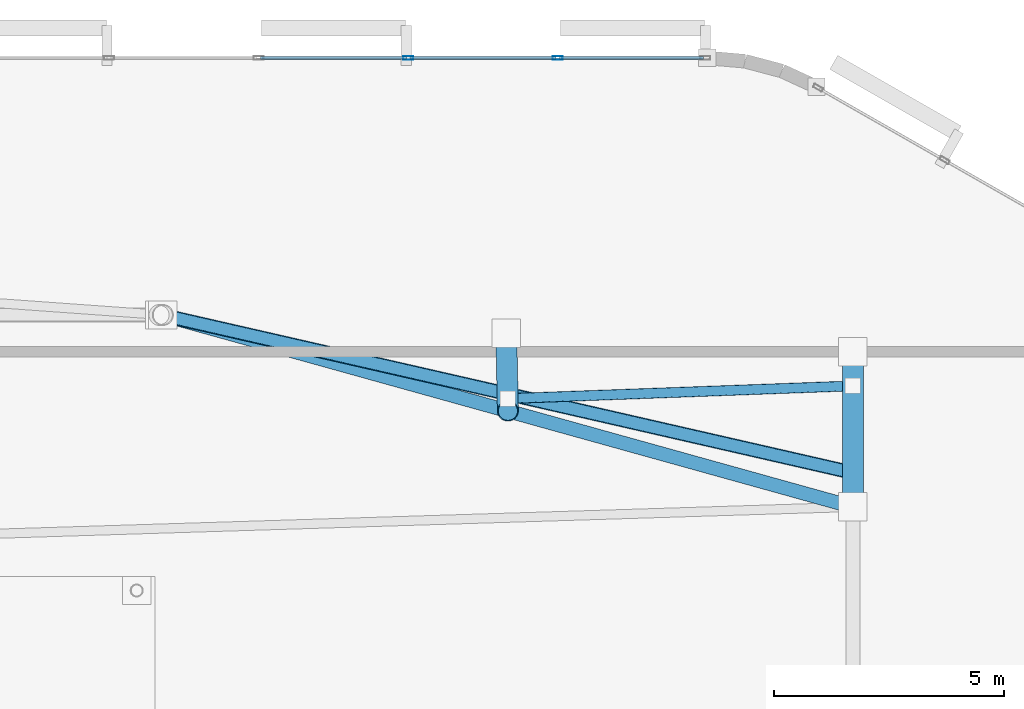
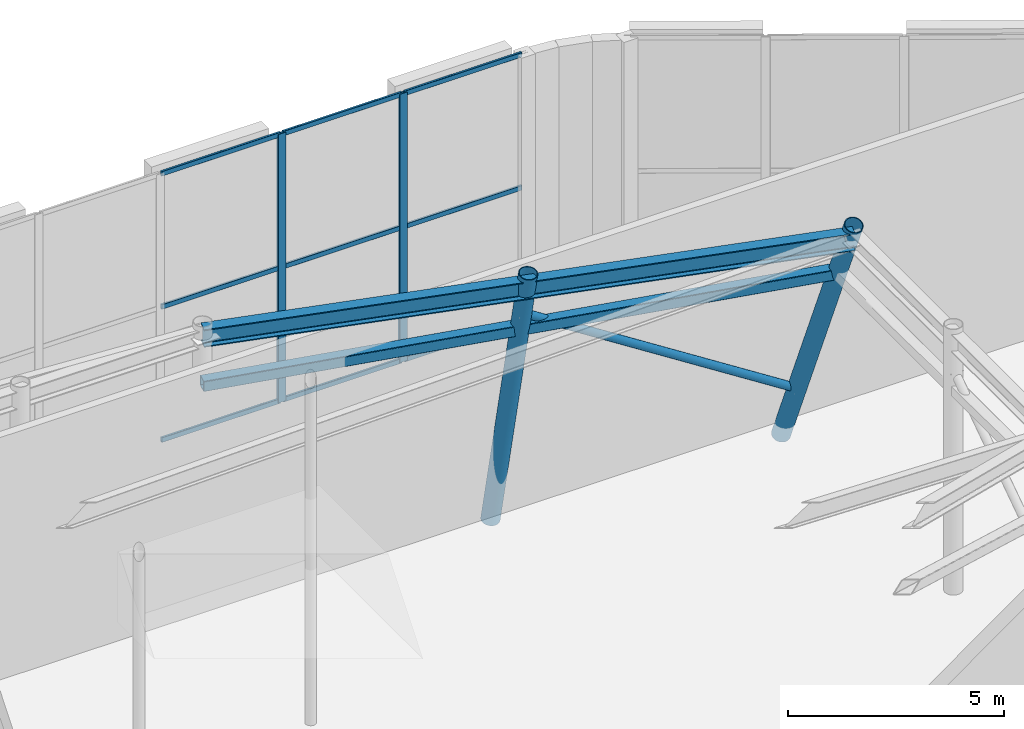
# One storey, part 15 of 22: 15 members, 1 beam, 1 element without a shape of its own.
"""IFC4 building model written with IfcOpenShell, lengths in metres."""

from ifc_helpers import new_model, si_unit, direction, frame, origin, origin_2d, place, context, subcontext, project, spatial, hollow_rectangle, hollow_circle, i_section, extrude, material, layer, layer_set, material_profile, profile_set, type_object, element, aggregate, save


model = new_model("IFC4")

# Units and contexts
model_context = context("Model", 3, precision=1e-05, world=origin(), true_north=direction((0.0, 1.0)))
body_context = subcontext(model_context, "Body", "Model", "MODEL_VIEW")
ifc_project = project(units=[si_unit("LENGTHUNIT", "METRE"), si_unit("AREAUNIT", "SQUARE_METRE"), si_unit("VOLUMEUNIT", "CUBIC_METRE"), si_unit("PLANEANGLEUNIT", "RADIAN"), si_unit("MASSUNIT", "GRAM", prefix="KILO")], contexts=[model_context])

# Site, building, storey
site_placement = place(None, origin())
site = spatial("IfcSite", under=ifc_project, at=site_placement, CompositionType="ELEMENT")
building_placement = place(site_placement, origin())
building = spatial("IfcBuilding", under=site, at=building_placement, Name="An Khanh Terracotta Commons", CompositionType="ELEMENT")
storey_placement = place(building_placement, frame((0.0, 0.0, 300.39990234375)))
storey = spatial("IfcBuildingStorey", under=building, at=storey_placement, Name="L78 Crown Damper Chamber", CompositionType="ELEMENT", Elevation=300.39990234375)

# Beam
ifc_material_1 = material(Name="Steel S355J2", Category="steel")
ifc_material_profile_1 = material_profile(ifc_material_1, i_section(OverallWidth=0.300048828125, OverallDepth=0.5, WebThickness=0.014404296875, FlangeThickness=0.028076171875, FilletRadius=0.027099609375, at=origin_2d()), Name="HEB500")
ifc_profile_set_1 = profile_set([ifc_material_profile_1], Name="Steel S355J2")
beam_type = type_object("IfcBeamType", Name="BM-HEB500", PredefinedType="BEAM", material=ifc_profile_set_1)
beam_placement = place(storey_placement, frame((63.39990234375, 28.6201171875, 7.130126953125), z_axis=(-0.963435354668, 0.267940884105, 0.0), x_axis=(-0.267940884105, -0.963435354668, 0.0)))
element("IfcBeam", 1, at=beam_placement, inside=storey, type_object=beam_type, Name="L78 Crown Damper Chamber CROWN FRAME Ring Beam 4", PredefinedType="BEAM", context=body_context, shape_type="SweptSolid", body=[
    extrude(i_section(OverallWidth=0.300048828125, OverallDepth=0.5, WebThickness=0.014404296875, FlangeThickness=0.028076171875, FilletRadius=0.027099609375, at=origin_2d()), origin(), (0.0, 0.0, 1.0), 15.60009765625),
])

# Members
ifc_material_2 = material(Name="Steel S460ML", Category="steel")
ifc_material_profile_2 = material_profile(ifc_material_2, hollow_circle(Radius=0.109619140625, WallThickness=0.010009765625, at=origin_2d()), Name="CHS219.1x10")
ifc_profile_set_2 = profile_set([ifc_material_profile_2], Name="Steel S460ML")
member_type_1 = type_object("IfcMemberType", Name="CROWN FRAME BRACE CHS219", PredefinedType="BRACE", material=ifc_profile_set_2)
member_1_placement = place(storey_placement, frame((63.39990234375, 31.256103515625, 1.302978515625), z_axis=(-0.835324124896, -0.030667778526, 0.548901715908), x_axis=(0.036688909227, -0.999326735327, 0.0)))
element("IfcMember", 2, at=member_1_placement, inside=storey, type_object=member_type_1, Name="L78 Crown Damper Chamber CROWN FRAME Wind Diagonal 4", PredefinedType="BRACE", context=body_context, shape_type="SweptSolid", body=[
    extrude(hollow_circle(Radius=0.109619140625, WallThickness=0.010009765625, at=origin_2d()), origin(), (0.0, 0.0, 1.0), 9.003662109375),
])
ifc_material_profile_3 = material_profile(ifc_material_2, hollow_circle(Radius=0.228515625, WallThickness=0.02001953125, at=origin_2d()), Name="CHS457x20")
ifc_profile_set_3 = profile_set([ifc_material_profile_3], Name="Steel S460ML")
member_type_2 = type_object("IfcMemberType", Name="CROWN FRAME RIB CHS457", PredefinedType="STRUT", material=ifc_profile_set_3)
member_2_placement = place(storey_placement, frame((63.39990234375, 32.0, -0.449951171875), z_axis=(0.0, -0.390420928365, 0.920636463918), x_axis=(1.0, 0.0, 0.0)))
element("IfcMember", 3, at=member_2_placement, inside=storey, type_object=member_type_2, Name="L78 Crown Damper Chamber CROWN FRAME Corner Raking Rib 4", PredefinedType="STRUT", context=body_context, shape_type="SweptSolid", body=[
    extrude(hollow_circle(Radius=0.228515625, WallThickness=0.02001953125, at=origin_2d()), origin(), (0.0, 0.0, 1.0), 8.656982421875),
])
member_3_placement = place(storey_placement, frame((55.84912109375, 32.39990234375, -0.449951171875), z_axis=(0.00440500635, -0.207424856847, 0.978241036085), x_axis=(0.999774578873, 0.021231849624, 0.0)))
element("IfcMember", 4, at=member_3_placement, inside=storey, type_object=member_type_2, Name="L78 Crown Damper Chamber CROWN FRAME Facet Strut 4", PredefinedType="STRUT", context=body_context, shape_type="SweptSolid", body=[
    extrude(hollow_circle(Radius=0.228515625, WallThickness=0.02001953125, at=origin_2d()), origin(), (0.0, 0.0, 1.0), 8.147216796875),
])
ifc_material_profile_4 = material_profile(ifc_material_2, hollow_rectangle(XDim=0.300048828125, YDim=0.300048828125, WallThickness=0.01611328125, InnerFilletRadius=0.01611328125, OuterFilletRadius=0.031982421875, at=origin_2d()), Name="SHS300x300x16")
ifc_profile_set_4 = profile_set([ifc_material_profile_4], Name="Steel S460ML")
member_type_3 = type_object("IfcMemberType", Name="CROWN FRAME RING SHS300", PredefinedType="CHORD", material=ifc_profile_set_4)
member_4_placement = place(storey_placement, frame((63.39990234375, 29.364013671875, 5.76708984375), z_axis=(-0.974901098527, 0.222638379644, 0.0), x_axis=(-0.222638379644, -0.974901098527, 0.0)))
element("IfcMember", 5, at=member_4_placement, inside=storey, type_object=member_type_3, Name="L78 Crown Damper Chamber CROWN FRAME Sill Ring Chord 4", PredefinedType="CHORD", context=body_context, shape_type="SweptSolid", body=[
    extrude(hollow_rectangle(XDim=0.300048828125, YDim=0.300048828125, WallThickness=0.01611328125, InnerFilletRadius=0.01611328125, OuterFilletRadius=0.031982421875, at=origin_2d()), origin(), (0.0, 0.0, 1.0), 15.433349609375),
])

# Curtain wall, members
ifc_material_3 = material(Name="Anodised Aluminium 6063-T6", Category="aluminium")
ifc_layer = layer(ifc_material_3, 0.25, Name="Anodised Aluminium 6063-T6")
ifc_layer_set = layer_set([ifc_layer], Name="Anodised Aluminium 6063-T6")
curtain_wall_type = type_object("IfcCurtainWallType", Name="CW-SYS-05", PredefinedType="USERDEFINED", material=ifc_layer_set)
curtain_wall_placement = place(storey_placement, origin())
curtain_wall = element("IfcCurtainWall", 6, at=curtain_wall_placement, inside=storey, type_object=curtain_wall_type, Name="L78 Crown Damper Chamber CW-05 Unitised Curtain Wall CW-L78-20", ObjectType="UNITISED CURTAIN WALL", PredefinedType="USERDEFINED")
ifc_material_profile_5 = material_profile(ifc_material_3, hollow_rectangle(XDim=0.080078125, YDim=0.219970703125, WallThickness=0.0048828125, InnerFilletRadius=0.0048828125, OuterFilletRadius=0.010009765625, at=origin_2d()), Name="RHS220x80x5")
ifc_profile_set_5 = profile_set([ifc_material_profile_5], Name="Anodised Aluminium 6063-T6")
member_type_4 = type_object("IfcMemberType", Name="CWM-RHS220x80x5", PredefinedType="MULLION", material=ifc_profile_set_5)
member_5_placement = place(storey_placement, frame((56.96826171875, 38.39990234375, 0.0), z_axis=(0.0, 0.0, 1.0), x_axis=(0.0, -1.0, 0.0)))
member_5 = element("IfcMember", 7, at=member_5_placement, type_object=member_type_4, Name="CW-05 mullion 2", PredefinedType="MULLION", context=body_context, shape_type="SweptSolid", body=[
    extrude(hollow_rectangle(XDim=0.080078125, YDim=0.219970703125, WallThickness=0.0048828125, InnerFilletRadius=0.0048828125, OuterFilletRadius=0.010009765625, at=origin_2d()), origin(), (0.0, 0.0, 1.0), 7.60009765625),
])
member_6_placement = place(storey_placement, frame((53.71142578125, 38.39990234375, 0.0), z_axis=(0.0, 0.0, 1.0), x_axis=(0.0, -1.0, 0.0)))
member_6 = element("IfcMember", 8, at=member_6_placement, type_object=member_type_4, Name="CW-05 mullion 3", PredefinedType="MULLION", context=body_context, shape_type="SweptSolid", body=[
    extrude(hollow_rectangle(XDim=0.080078125, YDim=0.219970703125, WallThickness=0.0048828125, InnerFilletRadius=0.0048828125, OuterFilletRadius=0.010009765625, at=origin_2d()), origin(), (0.0, 0.0, 1.0), 7.60009765625),
])
ifc_material_profile_6 = material_profile(ifc_material_3, hollow_rectangle(XDim=0.06005859375, YDim=0.135009765625, WallThickness=0.003662109375, InnerFilletRadius=0.003662109375, OuterFilletRadius=0.007080078125, at=origin_2d()), Name="RHS135x60x3.6")
ifc_profile_set_6 = profile_set([ifc_material_profile_6], Name="Anodised Aluminium 6063-T6")
member_type_5 = type_object("IfcMemberType", Name="CWT-RHS135x60x3.6", PredefinedType="USERDEFINED", material=ifc_profile_set_6)
member_7_placement = place(storey_placement, frame((60.14501953125, 38.39990234375, 0.030029296875), z_axis=(-1.0, 0.0, 0.0), x_axis=(0.0, -1.0, 0.0)))
member_7 = element("IfcMember", 9, at=member_7_placement, type_object=member_type_5, Name="CW-05 transom 1.1", ObjectType="TRANSOM", PredefinedType="USERDEFINED", context=body_context, shape_type="SweptSolid", body=[
    extrude(hollow_rectangle(XDim=0.06005859375, YDim=0.135009765625, WallThickness=0.003662109375, InnerFilletRadius=0.003662109375, OuterFilletRadius=0.007080078125, at=origin_2d()), origin(), (0.0, 0.0, 1.0), 3.13671875),
])
member_8_placement = place(storey_placement, frame((60.14501953125, 38.39990234375, 3.800048828125), z_axis=(-1.0, 0.0, 0.0), x_axis=(0.0, -1.0, 0.0)))
member_8 = element("IfcMember", 10, at=member_8_placement, type_object=member_type_5, Name="CW-05 transom 1.2", ObjectType="TRANSOM", PredefinedType="USERDEFINED", context=body_context, shape_type="SweptSolid", body=[
    extrude(hollow_rectangle(XDim=0.06005859375, YDim=0.135009765625, WallThickness=0.003662109375, InnerFilletRadius=0.003662109375, OuterFilletRadius=0.007080078125, at=origin_2d()), origin(), (0.0, 0.0, 1.0), 3.13671875),
])
member_9_placement = place(storey_placement, frame((60.14501953125, 38.39990234375, 7.570068359375), z_axis=(-1.0, 0.0, 0.0), x_axis=(0.0, -1.0, 0.0)))
member_9 = element("IfcMember", 11, at=member_9_placement, type_object=member_type_5, Name="CW-05 transom 1.3", ObjectType="TRANSOM", PredefinedType="USERDEFINED", context=body_context, shape_type="SweptSolid", body=[
    extrude(hollow_rectangle(XDim=0.06005859375, YDim=0.135009765625, WallThickness=0.003662109375, InnerFilletRadius=0.003662109375, OuterFilletRadius=0.007080078125, at=origin_2d()), origin(), (0.0, 0.0, 1.0), 3.13671875),
])
member_10_placement = place(storey_placement, frame((56.92822265625, 38.39990234375, 0.030029296875), z_axis=(-1.0, 0.0, 0.0), x_axis=(0.0, -1.0, 0.0)))
member_10 = element("IfcMember", 12, at=member_10_placement, type_object=member_type_5, Name="CW-05 transom 2.1", ObjectType="TRANSOM", PredefinedType="USERDEFINED", context=body_context, shape_type="SweptSolid", body=[
    extrude(hollow_rectangle(XDim=0.06005859375, YDim=0.135009765625, WallThickness=0.003662109375, InnerFilletRadius=0.003662109375, OuterFilletRadius=0.007080078125, at=origin_2d()), origin(), (0.0, 0.0, 1.0), 3.1767578125),
])
member_11_placement = place(storey_placement, frame((56.92822265625, 38.39990234375, 3.800048828125), z_axis=(-1.0, 0.0, 0.0), x_axis=(0.0, -1.0, 0.0)))
member_11 = element("IfcMember", 13, at=member_11_placement, type_object=member_type_5, Name="CW-05 transom 2.2", ObjectType="TRANSOM", PredefinedType="USERDEFINED", context=body_context, shape_type="SweptSolid", body=[
    extrude(hollow_rectangle(XDim=0.06005859375, YDim=0.135009765625, WallThickness=0.003662109375, InnerFilletRadius=0.003662109375, OuterFilletRadius=0.007080078125, at=origin_2d()), origin(), (0.0, 0.0, 1.0), 3.1767578125),
])
member_12_placement = place(storey_placement, frame((56.92822265625, 38.39990234375, 7.570068359375), z_axis=(-1.0, 0.0, 0.0), x_axis=(0.0, -1.0, 0.0)))
member_12 = element("IfcMember", 14, at=member_12_placement, type_object=member_type_5, Name="CW-05 transom 2.3", ObjectType="TRANSOM", PredefinedType="USERDEFINED", context=body_context, shape_type="SweptSolid", body=[
    extrude(hollow_rectangle(XDim=0.06005859375, YDim=0.135009765625, WallThickness=0.003662109375, InnerFilletRadius=0.003662109375, OuterFilletRadius=0.007080078125, at=origin_2d()), origin(), (0.0, 0.0, 1.0), 3.1767578125),
])
member_13_placement = place(storey_placement, frame((53.67138671875, 38.39990234375, 0.030029296875), z_axis=(-1.0, 0.0, 0.0), x_axis=(0.0, -1.0, 0.0)))
member_13 = element("IfcMember", 15, at=member_13_placement, type_object=member_type_5, Name="CW-05 transom 3.1", ObjectType="TRANSOM", PredefinedType="USERDEFINED", context=body_context, shape_type="SweptSolid", body=[
    extrude(hollow_rectangle(XDim=0.06005859375, YDim=0.135009765625, WallThickness=0.003662109375, InnerFilletRadius=0.003662109375, OuterFilletRadius=0.007080078125, at=origin_2d()), origin(), (0.0, 0.0, 1.0), 3.1767578125),
])
member_14_placement = place(storey_placement, frame((53.67138671875, 38.39990234375, 3.800048828125), z_axis=(-1.0, 0.0, 0.0), x_axis=(0.0, -1.0, 0.0)))
member_14 = element("IfcMember", 16, at=member_14_placement, type_object=member_type_5, Name="CW-05 transom 3.2", ObjectType="TRANSOM", PredefinedType="USERDEFINED", context=body_context, shape_type="SweptSolid", body=[
    extrude(hollow_rectangle(XDim=0.06005859375, YDim=0.135009765625, WallThickness=0.003662109375, InnerFilletRadius=0.003662109375, OuterFilletRadius=0.007080078125, at=origin_2d()), origin(), (0.0, 0.0, 1.0), 3.1767578125),
])
member_15_placement = place(storey_placement, frame((53.67138671875, 38.39990234375, 7.570068359375), z_axis=(-1.0, 0.0, 0.0), x_axis=(0.0, -1.0, 0.0)))
member_15 = element("IfcMember", 17, at=member_15_placement, type_object=member_type_5, Name="CW-05 transom 3.3", ObjectType="TRANSOM", PredefinedType="USERDEFINED", context=body_context, shape_type="SweptSolid", body=[
    extrude(hollow_rectangle(XDim=0.06005859375, YDim=0.135009765625, WallThickness=0.003662109375, InnerFilletRadius=0.003662109375, OuterFilletRadius=0.007080078125, at=origin_2d()), origin(), (0.0, 0.0, 1.0), 3.1767578125),
])
aggregate(curtain_wall, [member_5, member_6, member_7, member_8, member_9, member_10, member_11, member_12, member_13, member_14, member_15])

save(model, "model.ifc")
